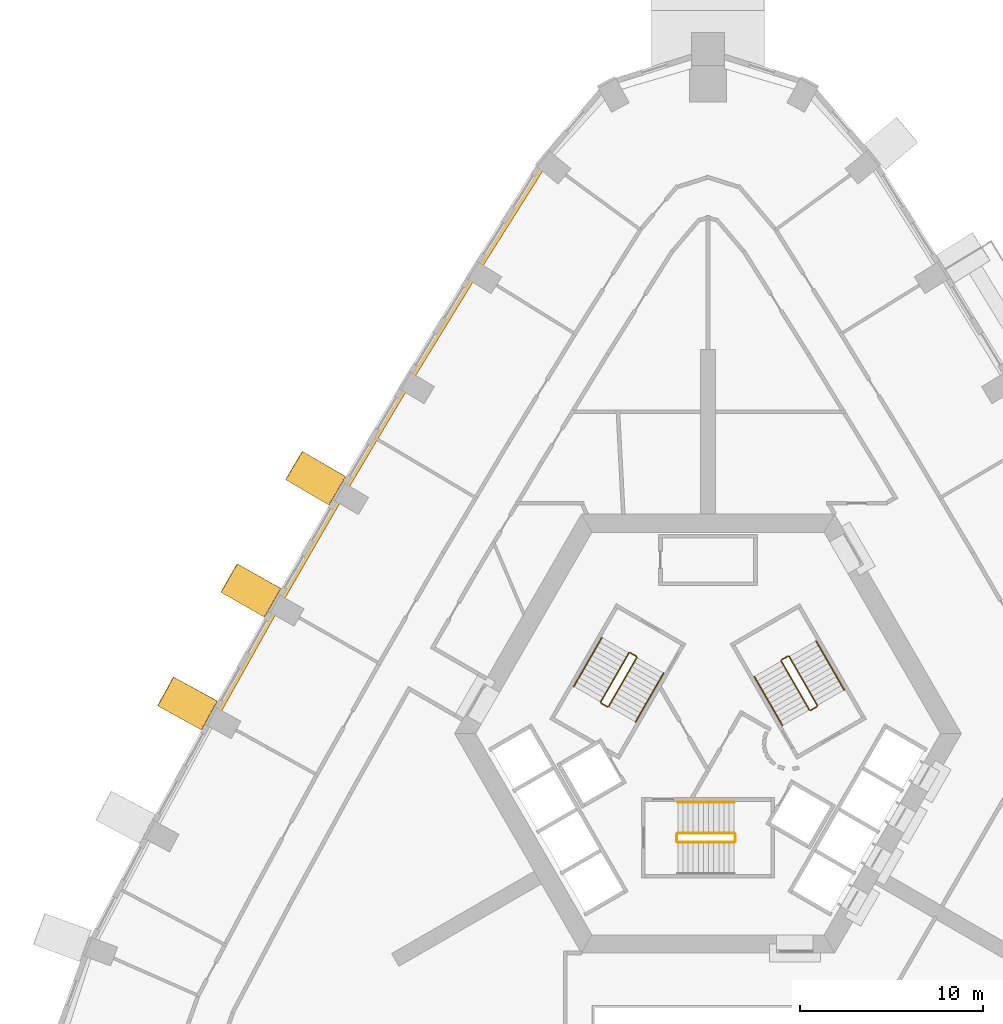
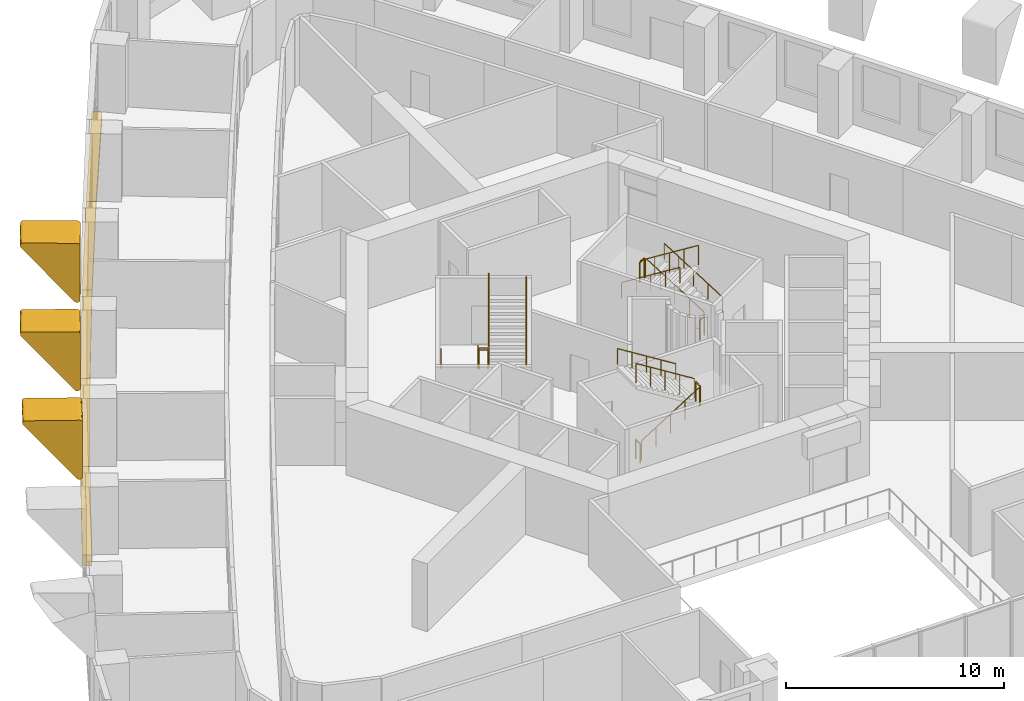
# One storey, part 13 of 14: 17 railings, 8 coverings.
"""IFC4 building model written with IfcOpenShell, lengths in metres."""

from ifc_helpers import new_model, si_unit, direction, frame, origin, origin_2d, place, context, subcontext, project, spatial, polyline, circle, outline, extrude, material, type_object, element, save


model = new_model("IFC4")

# Units and contexts
model_context = context("Model", 3, precision=1e-05, world=origin(), true_north=direction((0.0, 1.0)))
body_context = subcontext(model_context, "Body", "Model", "MODEL_VIEW")
ifc_project = project(units=[si_unit("LENGTHUNIT", "METRE"), si_unit("AREAUNIT", "SQUARE_METRE"), si_unit("VOLUMEUNIT", "CUBIC_METRE"), si_unit("PLANEANGLEUNIT", "RADIAN"), si_unit("MASSUNIT", "GRAM", prefix="KILO")], contexts=[model_context])

# Site, building, storey
site_placement = place(None, origin())
site = spatial("IfcSite", under=ifc_project, at=site_placement, CompositionType="ELEMENT")
building_placement = place(site_placement, origin())
building = spatial("IfcBuilding", under=site, at=building_placement, Name="Entoto Arch Interchange Tower", CompositionType="ELEMENT")
storey_placement = place(building_placement, frame((0.0, 0.0, 176.0)))
storey = spatial("IfcBuildingStorey", under=building, at=storey_placement, Name="L39", CompositionType="ELEMENT", Elevation=176.0)

# Coverings
ifc_material_1 = material(Name="Board-marked precast concrete C50/60", Category="concrete")
covering_type_1 = type_object("IfcCoveringType", Name="PRECAST FRAME COURSE", PredefinedType="CLADDING", material=ifc_material_1)
covering_1_placement = place(storey_placement, frame((-20.0390625, 16.69189453125, 4.528076171875), z_axis=(0.505888916529, 0.862593607362, 0.002944939878), x_axis=(0.639738868671, -0.372895862191, -0.672073549452)))
element("IfcCovering", 1, at=covering_1_placement, inside=storey, type_object=covering_type_1, Name="Fold rib NW04 L39-L40", PredefinedType="CLADDING", context=body_context, shape_type="SweptSolid", body=[
    extrude(outline(polyline([(0.0, 0.0), (0.04468559643476672, 0.0), (0.08702311688176662, -0.012713268512525654), (0.12434001728312408, -0.03702019963075637), (0.1515155062238189, -0.07124735601299292), (0.1685170643445208, -0.11239364482339322), (0.17332564048363217, -0.15599488681735288), (0.16401626707573988, -0.19864944727664952), (0.14381771860572398, -0.23834547830368197), (-1.9002104992836286, -2.4912860784999293), (-1.9219744646785384, -2.510769939343218), (-1.9471938989124746, -2.5257936804938286), (-1.9896944786839732, -2.5386556448553583), (-2.019459936528963, -2.5399930798170836), (-2.0481091349004488, -2.535421584005867), (-2.0890708580227777, -2.5186856880012773), (-2.1126803877249705, -2.5012131409040204), (-3.933938914454156, -0.8482031710648279), (-3.953701552231386, -0.8263084160659506), (-3.969407119032516, -0.8011758611565987), (-3.9815449987684417, -0.7591661435943318), (-3.983088618111073, -0.7294092647723227), (-3.9787515569711434, -0.7007053646697399), (-3.9692912795952706, -0.6730243390961699), (-3.9542291238496263, -0.6474597493199428), (-3.9347035495369473, -0.6259468229230565), (-3.911169751801509, -0.6080682276883898), (-3.8844412897385325, -0.596060923005258), (-3.8556340986838307, -0.5882470825013606), (0.0, 0.0)])), origin(), (0.0, 0.0, -1.0), 1.800048828125),
])
covering_2_placement = place(storey_placement, frame((-23.5849609375, 10.572998046875, 4.528076171875), z_axis=(0.493998773272, 0.86945673877, 0.003192399435), x_axis=(0.638504492493, -0.360281695828, -0.680080225207)))
element("IfcCovering", 2, at=covering_2_placement, inside=storey, type_object=covering_type_1, Name="Fold rib NW05 L39-L40", PredefinedType="CLADDING", context=body_context, shape_type="SweptSolid", body=[
    extrude(outline(polyline([(0.0, 0.0), (0.044154413149853494, 3.469446951953614e-18), (0.08652140957434047, -0.013326427223792896), (0.1232189811566394, -0.03770884681786216), (0.15057042259358533, -0.0727410269322915), (0.16641238652239793, -0.11341310753403566), (0.17100981809750715, -0.15730427991353843), (0.16201509392503843, -0.20057514230923865), (0.14040778489138833, -0.2391406961638459), (-1.9277185668934813, -2.469984112612299), (-1.9502069357334906, -2.488750379627171), (-1.9750731122036729, -2.503979353468382), (-2.0177153387244204, -2.5163734478831548), (-2.047136183778432, -2.517721164744508), (-2.075644583214081, -2.512921048337796), (-2.116066515200698, -2.496071991759283), (-2.1401921032232942, -2.4776871472308497), (-3.943585554680774, -0.804791758160593), (-3.971669062450116, -0.7704139652494715), (-3.982936323884171, -0.74364409967082), (-3.990483685403083, -0.7149993548163511), (-3.9916983117187366, -0.6852312324325625), (-3.9870489244479628, -0.6565758588462454), (-3.9772873570942746, -0.6289995719119659), (-3.9619462217398964, -0.6036017018304658), (-3.942188031603264, -0.5823022489029859), (-3.9180127866843764, -0.5651012131295261), (-3.891598445160561, -0.5529702848479154), (-3.862708719762429, -0.5454702845573336), (0.0, 0.0)])), origin(), (0.0, 0.0, -1.0), 1.800048828125),
])
covering_3_placement = place(storey_placement, frame((-27.056884765625, 4.409912109375, 4.528076171875), z_axis=(0.482028973215, 0.876149787755, 0.003101354425), x_axis=(0.657648181823, -0.359473124446, -0.662025635264)))
element("IfcCovering", 3, at=covering_3_placement, inside=storey, type_object=covering_type_1, Name="Fold rib NW06 L39-L40", PredefinedType="CLADDING", context=body_context, shape_type="SweptSolid", body=[
    extrude(outline(polyline([(0.0, 0.0), (0.0438841037940554, 0.0), (0.08645691664557484, -0.012196135381730172), (0.12357823019721464, -0.03554012514605625), (0.15213222535959164, -0.06890622347240535), (0.16933061260491739, -0.10950547074112918), (0.17426145576615842, -0.15392730046703385), (0.16697082358468862, -0.1966748617920992), (0.1463080810393718, -0.23575489421649873), (-1.86689047381686, -2.516290965684052), (-1.8882712524370646, -2.5361659628395072), (-1.913488228264516, -2.5513526233339006), (-1.9554661452842645, -2.5650927028242694), (-1.9848456785337387, -2.567155076213649), (-2.013459836987534, -2.5630516203575495), (-2.0550821292795187, -2.5464835203529583), (-2.0784010722146986, -2.5297936132062357), (-3.9200133693477786, -0.9030633847936089), (-3.9484068058720156, -0.8698386240566784), (-3.9610337564257643, -0.8427247460877498), (-3.9686363590728493, -0.8148342490013067), (-3.9700554290783803, -0.7855658746599585), (-3.9662628679849528, -0.7566661161644093), (-3.957260813221004, -0.7287836031739638), (-3.941940426999235, -0.7035553036702602), (-3.9230578200415676, -0.681467384018708), (-3.8995598484287273, -0.6634607284106353), (-3.87399716819928, -0.6502092701282791), (-3.844498769563564, -0.6427129764543538), (0.0, 0.0)])), origin(), (0.0, 0.0, -1.0), 1.800048828125),
])
covering_type_2 = type_object("IfcCoveringType", Name="PRECAST LEDGE COURSE", PredefinedType="CLADDING", material=ifc_material_1)
covering_4_placement = place(storey_placement, frame((0.0, 0.0, -1.0)))
element("IfcCovering", 4, at=covering_4_placement, inside=storey, type_object=covering_type_2, Name="Precast course NW-01 L39", PredefinedType="CLADDING", context=body_context, shape_type="SweptSolid", body=[
    extrude(outline(polyline([(-12.577880859375, 27.64892578125), (-12.968994140625, 27.89306640625), (-9.117919921875, 34.027099609375), (-8.7529296875, 33.72412109375), (-12.577880859375, 27.64892578125)])), origin(), (0.0, 0.0, 1.0), 0.60009765625),
])
covering_5_placement = place(storey_placement, frame((0.0, 0.0, -1.0)))
element("IfcCovering", 5, at=covering_5_placement, inside=storey, type_object=covering_type_2, Name="Precast course NW-02 L39", PredefinedType="CLADDING", context=body_context, shape_type="SweptSolid", body=[
    extrude(outline(polyline([(-16.26611328125, 21.6240234375), (-16.654052734375, 21.85888671875), (-12.968994140625, 27.89306640625), (-12.577880859375, 27.64892578125), (-16.26611328125, 21.6240234375)])), origin(), (0.0, 0.0, 1.0), 0.60009765625),
])
covering_6_placement = place(storey_placement, frame((0.0, 0.0, -1.0)))
element("IfcCovering", 6, at=covering_6_placement, inside=storey, type_object=covering_type_2, Name="Precast course NW-03 L39", PredefinedType="CLADDING", context=body_context, shape_type="SweptSolid", body=[
    extrude(outline(polyline([(-19.875, 15.552978515625), (-20.263916015625, 15.781005859375), (-16.654052734375, 21.85888671875), (-16.26611328125, 21.6240234375), (-19.875, 15.552978515625)])), origin(), (0.0, 0.0, 1.0), 0.60009765625),
])
covering_7_placement = place(storey_placement, frame((0.0, 0.0, -1.0)))
element("IfcCovering", 7, at=covering_7_placement, inside=storey, type_object=covering_type_2, Name="Precast course NW-04 L39", PredefinedType="CLADDING", context=body_context, shape_type="SweptSolid", body=[
    extrude(outline(polyline([(-23.406005859375, 9.43603515625), (-23.798095703125, 9.658935546875), (-20.263916015625, 15.781005859375), (-19.875, 15.552978515625), (-23.406005859375, 9.43603515625)])), origin(), (0.0, 0.0, 1.0), 0.60009765625),
])
covering_8_placement = place(storey_placement, frame((0.0, 0.0, -1.0)))
element("IfcCovering", 8, at=covering_8_placement, inside=storey, type_object=covering_type_2, Name="Precast course NW-05 L39", PredefinedType="CLADDING", context=body_context, shape_type="SweptSolid", body=[
    extrude(outline(polyline([(-26.860107421875, 3.27490234375), (-27.257080078125, 3.492919921875), (-23.798095703125, 9.658935546875), (-23.406005859375, 9.43603515625), (-26.860107421875, 3.27490234375)])), origin(), (0.0, 0.0, 1.0), 0.60009765625),
])

# Railings
ifc_material_2 = material(Name="Stainless steel 1.4301", Category="steel")
railing_type_1 = type_object("IfcRailingType", Name="STAIR GUARD 1100 STEEL", PredefinedType="GUARDRAIL", material=ifc_material_2)
railing_1_placement = place(storey_placement, frame((-1.64990234375, -3.449951171875, 0.175048828125)))
element("IfcRailing", 9, at=railing_1_placement, inside=storey, type_object=railing_type_1, Name="L39 ST-S stair guard 1", PredefinedType="GUARDRAIL", context=body_context, shape_type="SweptSolid", body=[
    extrude(circle(Radius=0.02392578125, at=origin_2d()), frame((0.0, 0.0, 1.076171875), z_axis=(0.847979421464, 0.0, 0.530029150871), x_axis=(0.0, 1.0, 0.0)), (0.0, 0.0, 1.0), 3.632080078125),
    extrude(circle(Radius=0.02099609375, at=origin_2d()), origin(), (0.0, 0.0, 1.0), 1.052001953125),
    extrude(circle(Radius=0.02099609375, at=origin_2d()), frame((0.77001953125, 0.0, 0.481201171875)), (0.0, 0.0, 1.0), 1.052001953125),
    extrude(circle(Radius=0.02099609375, at=origin_2d()), frame((1.5400390625, 0.0, 0.96240234375)), (0.0, 0.0, 1.0), 1.052001953125),
    extrude(circle(Radius=0.02099609375, at=origin_2d()), frame((2.309814453125, 0.0, 1.44384765625)), (0.0, 0.0, 1.0), 1.052001953125),
    extrude(circle(Radius=0.02099609375, at=origin_2d()), frame((3.079833984375, 0.0, 1.925048828125)), (0.0, 0.0, 1.0), 1.052001953125),
])
railing_2_placement = place(storey_placement, frame((1.47998046875, -3.39990234375, 2.10009765625)))
element("IfcRailing", 10, at=railing_2_placement, inside=storey, type_object=railing_type_1, Name="L39 ST-S stair guard 2", PredefinedType="GUARDRAIL", context=body_context, shape_type="SweptSolid", body=[
    extrude(circle(Radius=0.02392578125, at=origin_2d()), frame((0.0, 0.0, 1.076171875), z_axis=(0.0, 1.0, 0.0), x_axis=(-1.0, 0.0, 0.0)), (0.0, 0.0, 1.0), 0.39990234375),
    extrude(circle(Radius=0.02099609375, at=origin_2d()), origin(), (0.0, 0.0, 1.0), 1.052001953125),
    extrude(circle(Radius=0.02099609375, at=origin_2d()), frame((0.0, 0.39990234375, 0.0)), (0.0, 0.0, 1.0), 1.052001953125),
])
railing_3_placement = place(storey_placement, frame((1.429931640625, -2.949951171875, 2.27490234375)))
element("IfcRailing", 11, at=railing_3_placement, inside=storey, type_object=railing_type_1, Name="L39 ST-S stair guard 3", PredefinedType="GUARDRAIL", context=body_context, shape_type="SweptSolid", body=[
    extrude(circle(Radius=0.02392578125, at=origin_2d()), frame((0.0, 0.0, 1.076171875), z_axis=(-0.847979421464, 0.0, 0.530029150871), x_axis=(0.0, -1.0, 0.0)), (0.0, 0.0, 1.0), 3.632080078125),
    extrude(circle(Radius=0.02099609375, at=origin_2d()), origin(), (0.0, 0.0, 1.0), 1.052001953125),
    extrude(circle(Radius=0.02099609375, at=origin_2d()), frame((-0.77001953125, 0.0, 0.481201171875)), (0.0, 0.0, 1.0), 1.052001953125),
    extrude(circle(Radius=0.02099609375, at=origin_2d()), frame((-1.5400390625, 0.0, 0.96240234375)), (0.0, 0.0, 1.0), 1.052001953125),
    extrude(circle(Radius=0.02099609375, at=origin_2d()), frame((-2.309814453125, 0.0, 1.44384765625)), (0.0, 0.0, 1.0), 1.052001953125),
    extrude(circle(Radius=0.02099609375, at=origin_2d()), frame((-3.079833984375, 0.0, 1.925048828125)), (0.0, 0.0, 1.0), 1.052001953125),
])
railing_4_placement = place(storey_placement, frame((-1.699951171875, -3.39990234375, 0.0)))
element("IfcRailing", 12, at=railing_4_placement, inside=storey, type_object=railing_type_1, Name="L39 ST-S stair guard 4", PredefinedType="GUARDRAIL", context=body_context, shape_type="SweptSolid", body=[
    extrude(circle(Radius=0.02392578125, at=origin_2d()), frame((0.0, 0.0, 1.076171875), z_axis=(0.0, 1.0, 0.0), x_axis=(-1.0, 0.0, 0.0)), (0.0, 0.0, 1.0), 0.39990234375),
    extrude(circle(Radius=0.02099609375, at=origin_2d()), origin(), (0.0, 0.0, 1.0), 1.052001953125),
    extrude(circle(Radius=0.02099609375, at=origin_2d()), frame((0.0, 0.39990234375, 0.0)), (0.0, 0.0, 1.0), 1.052001953125),
])
railing_5_placement = place(storey_placement, frame((5.977783203125, 4.046142578125, 0.175048828125)))
element("IfcRailing", 13, at=railing_5_placement, inside=storey, type_object=railing_type_1, Name="L39 ST-NE stair guard 1", PredefinedType="GUARDRAIL", context=body_context, shape_type="SweptSolid", body=[
    extrude(circle(Radius=0.02392578125, at=origin_2d()), frame((0.0, 0.0, 1.076171875), z_axis=(-0.424015404183, 0.734364028329, 0.530019255228), x_axis=(-0.866010015463, -0.500026652407, 0.0)), (0.0, 0.0, 1.0), 3.632080078125),
    extrude(circle(Radius=0.02099609375, at=origin_2d()), origin(), (0.0, 0.0, 1.0), 1.052001953125),
    extrude(circle(Radius=0.02099609375, at=origin_2d()), frame((-0.385009765625, 0.666748046875, 0.481201171875)), (0.0, 0.0, 1.0), 1.052001953125),
    extrude(circle(Radius=0.02099609375, at=origin_2d()), frame((-0.77001953125, 1.33349609375, 0.96240234375)), (0.0, 0.0, 1.0), 1.052001953125),
    extrude(circle(Radius=0.02099609375, at=origin_2d()), frame((-1.155029296875, 2.00048828125, 1.44384765625)), (0.0, 0.0, 1.0), 1.052001953125),
    extrude(circle(Radius=0.02099609375, at=origin_2d()), frame((-1.5400390625, 2.667236328125, 1.925048828125)), (0.0, 0.0, 1.0), 1.052001953125),
])
railing_6_placement = place(storey_placement, frame((4.36962890625, 6.731689453125, 2.10009765625)))
element("IfcRailing", 14, at=railing_6_placement, inside=storey, type_object=railing_type_1, Name="L39 ST-NE stair guard 2", PredefinedType="GUARDRAIL", context=body_context, shape_type="SweptSolid", body=[
    extrude(circle(Radius=0.02392578125, at=origin_2d()), frame((0.0, 0.0, 1.076171875), z_axis=(-0.866094119867, -0.499880961361, 0.0), x_axis=(0.499880961361, -0.866094119867, 0.0)), (0.0, 0.0, 1.0), 0.39990234375),
    extrude(circle(Radius=0.02099609375, at=origin_2d()), origin(), (0.0, 0.0, 1.0), 1.052001953125),
    extrude(circle(Radius=0.02099609375, at=origin_2d()), frame((-0.346435546875, -0.199951171875, 0.0)), (0.0, 0.0, 1.0), 1.052001953125),
])
railing_7_placement = place(storey_placement, frame((4.0048828125, 6.46337890625, 2.27490234375)))
element("IfcRailing", 15, at=railing_7_placement, inside=storey, type_object=railing_type_1, Name="L39 ST-NE stair guard 3", PredefinedType="GUARDRAIL", context=body_context, shape_type="SweptSolid", body=[
    extrude(circle(Radius=0.02392578125, at=origin_2d()), frame((0.0, 0.0, 1.076171875), z_axis=(0.424015404183, -0.734364028329, 0.530019255228), x_axis=(0.866010015463, 0.500026652407, 0.0)), (0.0, 0.0, 1.0), 3.632080078125),
    extrude(circle(Radius=0.02099609375, at=origin_2d()), origin(), (0.0, 0.0, 1.0), 1.052001953125),
    extrude(circle(Radius=0.02099609375, at=origin_2d()), frame((0.385009765625, -0.666748046875, 0.481201171875)), (0.0, 0.0, 1.0), 1.052001953125),
    extrude(circle(Radius=0.02099609375, at=origin_2d()), frame((0.77001953125, -1.33349609375, 0.96240234375)), (0.0, 0.0, 1.0), 1.052001953125),
    extrude(circle(Radius=0.02099609375, at=origin_2d()), frame((1.155029296875, -2.00048828125, 1.44384765625)), (0.0, 0.0, 1.0), 1.052001953125),
    extrude(circle(Radius=0.02099609375, at=origin_2d()), frame((1.5400390625, -2.667236328125, 1.925048828125)), (0.0, 0.0, 1.0), 1.052001953125),
])
railing_8_placement = place(storey_placement, frame((5.95947265625, 3.977783203125, 0.0)))
element("IfcRailing", 16, at=railing_8_placement, inside=storey, type_object=railing_type_1, Name="L39 ST-NE stair guard 4", PredefinedType="GUARDRAIL", context=body_context, shape_type="SweptSolid", body=[
    extrude(circle(Radius=0.02392578125, at=origin_2d()), frame((0.0, 0.0, 1.076171875), z_axis=(-0.866094119867, -0.499880961361, 0.0), x_axis=(0.499880961361, -0.866094119867, 0.0)), (0.0, 0.0, 1.0), 0.39990234375),
    extrude(circle(Radius=0.02099609375, at=origin_2d()), origin(), (0.0, 0.0, 1.0), 1.052001953125),
    extrude(circle(Radius=0.02099609375, at=origin_2d()), frame((-0.346435546875, -0.199951171875, 0.0)), (0.0, 0.0, 1.0), 1.052001953125),
])
railing_9_placement = place(storey_placement, frame((-4.327880859375, 6.904052734375, 0.175048828125)))
element("IfcRailing", 17, at=railing_9_placement, inside=storey, type_object=railing_type_1, Name="L39 ST-NW stair guard 1", PredefinedType="GUARDRAIL", context=body_context, shape_type="SweptSolid", body=[
    extrude(circle(Radius=0.02392578125, at=origin_2d()), frame((0.0, 0.0, 1.076171875), z_axis=(-0.423994474112, -0.734394994316, 0.52999309264), x_axis=(0.866029832698, -0.499992328818, 0.0)), (0.0, 0.0, 1.0), 3.63232421875),
    extrude(circle(Radius=0.02099609375, at=origin_2d()), origin(), (0.0, 0.0, 1.0), 1.052001953125),
    extrude(circle(Radius=0.02099609375, at=origin_2d()), frame((-0.385009765625, -0.6669921875, 0.481201171875)), (0.0, 0.0, 1.0), 1.052001953125),
    extrude(circle(Radius=0.02099609375, at=origin_2d()), frame((-0.77001953125, -1.333740234375, 0.96240234375)), (0.0, 0.0, 1.0), 1.052001953125),
    extrude(circle(Radius=0.02099609375, at=origin_2d()), frame((-1.155029296875, -2.00048828125, 1.44384765625)), (0.0, 0.0, 1.0), 1.052001953125),
    extrude(circle(Radius=0.02099609375, at=origin_2d()), frame((-1.5400390625, -2.66748046875, 1.925048828125)), (0.0, 0.0, 1.0), 1.052001953125),
])
railing_10_placement = place(storey_placement, frame((-5.849609375, 4.168212890625, 2.10009765625)))
element("IfcRailing", 18, at=railing_10_placement, inside=storey, type_object=railing_type_1, Name="L39 ST-NW stair guard 2", PredefinedType="GUARDRAIL", context=body_context, shape_type="SweptSolid", body=[
    extrude(circle(Radius=0.02392578125, at=origin_2d()), frame((0.0, 0.0, 1.076171875), z_axis=(0.866094119867, -0.499880961361, 0.0), x_axis=(0.499880961361, 0.866094119867, 0.0)), (0.0, 0.0, 1.0), 0.39990234375),
    extrude(circle(Radius=0.02099609375, at=origin_2d()), origin(), (0.0, 0.0, 1.0), 1.052001953125),
    extrude(circle(Radius=0.02099609375, at=origin_2d()), frame((0.346435546875, -0.199951171875, 0.0)), (0.0, 0.0, 1.0), 1.052001953125),
])
railing_11_placement = place(storey_placement, frame((-5.434814453125, 3.986572265625, 2.27490234375)))
element("IfcRailing", 19, at=railing_11_placement, inside=storey, type_object=railing_type_1, Name="L39 ST-NW stair guard 3", PredefinedType="GUARDRAIL", context=body_context, shape_type="SweptSolid", body=[
    extrude(circle(Radius=0.02392578125, at=origin_2d()), frame((0.0, 0.0, 1.076171875), z_axis=(0.423994474112, 0.734394994316, 0.52999309264), x_axis=(-0.866029832698, 0.499992328818, 0.0)), (0.0, 0.0, 1.0), 3.63232421875),
    extrude(circle(Radius=0.02099609375, at=origin_2d()), origin(), (0.0, 0.0, 1.0), 1.052001953125),
    extrude(circle(Radius=0.02099609375, at=origin_2d()), frame((0.385009765625, 0.6669921875, 0.481201171875)), (0.0, 0.0, 1.0), 1.052001953125),
    extrude(circle(Radius=0.02099609375, at=origin_2d()), frame((0.77001953125, 1.333740234375, 0.96240234375)), (0.0, 0.0, 1.0), 1.052001953125),
    extrude(circle(Radius=0.02099609375, at=origin_2d()), frame((1.155029296875, 2.00048828125, 1.44384765625)), (0.0, 0.0, 1.0), 1.052001953125),
    extrude(circle(Radius=0.02099609375, at=origin_2d()), frame((1.5400390625, 2.66748046875, 1.925048828125)), (0.0, 0.0, 1.0), 1.052001953125),
])
railing_12_placement = place(storey_placement, frame((-4.259521484375, 6.92236328125, 0.0)))
element("IfcRailing", 20, at=railing_12_placement, inside=storey, type_object=railing_type_1, Name="L39 ST-NW stair guard 4", PredefinedType="GUARDRAIL", context=body_context, shape_type="SweptSolid", body=[
    extrude(circle(Radius=0.02392578125, at=origin_2d()), frame((0.0, 0.0, 1.076171875), z_axis=(0.865829829939, -0.500338590944, 0.0), x_axis=(0.500338590944, 0.865829829939, 0.0)), (0.0, 0.0, 1.0), 0.400146484375),
    extrude(circle(Radius=0.02099609375, at=origin_2d()), origin(), (0.0, 0.0, 1.0), 1.052001953125),
    extrude(circle(Radius=0.02099609375, at=origin_2d()), frame((0.346435546875, -0.2001953125, 0.0)), (0.0, 0.0, 1.0), 1.052001953125),
])
railing_type_2 = type_object("IfcRailingType", Name="STAIR HANDRAIL 900 STEEL", PredefinedType="HANDRAIL", material=ifc_material_2)
railing_13_placement = place(storey_placement, frame((1.429931640625, -1.25, 2.27490234375)))
element("IfcRailing", 21, at=railing_13_placement, inside=storey, type_object=railing_type_2, Name="L39 ST-S stair handrail 2", PredefinedType="HANDRAIL", context=body_context, shape_type="SweptSolid", body=[
    extrude(circle(Radius=0.02392578125, at=origin_2d()), frame((0.0, 0.0, 0.8759765625), z_axis=(-0.847979421464, 0.0, 0.530029150871), x_axis=(0.0, -1.0, 0.0)), (0.0, 0.0, 1.0), 3.632080078125),
    extrude(circle(Radius=0.02099609375, at=origin_2d()), origin(), (0.0, 0.0, 1.0), 0.851806640625),
    extrude(circle(Radius=0.02099609375, at=origin_2d()), frame((-0.77001953125, 0.0, 0.481201171875)), (0.0, 0.0, 1.0), 0.851806640625),
    extrude(circle(Radius=0.02099609375, at=origin_2d()), frame((-1.5400390625, 0.0, 0.96240234375)), (0.0, 0.0, 1.0), 0.851806640625),
    extrude(circle(Radius=0.02099609375, at=origin_2d()), frame((-2.309814453125, 0.0, 1.44384765625)), (0.0, 0.0, 1.0), 0.851806640625),
    extrude(circle(Radius=0.02099609375, at=origin_2d()), frame((-3.079833984375, 0.0, 1.925048828125)), (0.0, 0.0, 1.0), 0.851806640625),
])
railing_14_placement = place(storey_placement, frame((7.4501953125, 4.89599609375, 0.175048828125)))
element("IfcRailing", 22, at=railing_14_placement, inside=storey, type_object=railing_type_2, Name="L39 ST-NE stair handrail 1", PredefinedType="HANDRAIL", context=body_context, shape_type="SweptSolid", body=[
    extrude(circle(Radius=0.02392578125, at=origin_2d()), frame((0.0, 0.0, 0.8759765625), z_axis=(-0.423994474112, 0.734394994316, 0.52999309264), x_axis=(-0.866029832698, -0.499992328818, 0.0)), (0.0, 0.0, 1.0), 3.63232421875),
    extrude(circle(Radius=0.02099609375, at=origin_2d()), origin(), (0.0, 0.0, 1.0), 0.851806640625),
    extrude(circle(Radius=0.02099609375, at=origin_2d()), frame((-0.385009765625, 0.6669921875, 0.481201171875)), (0.0, 0.0, 1.0), 0.851806640625),
    extrude(circle(Radius=0.02099609375, at=origin_2d()), frame((-0.77001953125, 1.333740234375, 0.96240234375)), (0.0, 0.0, 1.0), 0.851806640625),
    extrude(circle(Radius=0.02099609375, at=origin_2d()), frame((-1.155029296875, 2.00048828125, 1.44384765625)), (0.0, 0.0, 1.0), 0.851806640625),
    extrude(circle(Radius=0.02099609375, at=origin_2d()), frame((-1.5400390625, 2.66748046875, 1.925048828125)), (0.0, 0.0, 1.0), 0.851806640625),
])
railing_15_placement = place(storey_placement, frame((2.53271484375, 5.613525390625, 2.27490234375)))
element("IfcRailing", 23, at=railing_15_placement, inside=storey, type_object=railing_type_2, Name="L39 ST-NE stair handrail 2", PredefinedType="HANDRAIL", context=body_context, shape_type="SweptSolid", body=[
    extrude(circle(Radius=0.02392578125, at=origin_2d()), frame((0.0, 0.0, 0.8759765625), z_axis=(0.423939339791, -0.734415923031, 0.53000819633), x_axis=(0.866064153644, 0.499932877268, 0.0)), (0.0, 0.0, 1.0), 3.632080078125),
    extrude(circle(Radius=0.02099609375, at=origin_2d()), origin(), (0.0, 0.0, 1.0), 0.851806640625),
    extrude(circle(Radius=0.02099609375, at=origin_2d()), frame((0.385009765625, -0.6669921875, 0.481201171875)), (0.0, 0.0, 1.0), 0.851806640625),
    extrude(circle(Radius=0.02099609375, at=origin_2d()), frame((0.77001953125, -1.333740234375, 0.96240234375)), (0.0, 0.0, 1.0), 0.851806640625),
    extrude(circle(Radius=0.02099609375, at=origin_2d()), frame((1.15478515625, -2.00048828125, 1.44384765625)), (0.0, 0.0, 1.0), 0.851806640625),
    extrude(circle(Radius=0.02099609375, at=origin_2d()), frame((1.539794921875, -2.66748046875, 1.925048828125)), (0.0, 0.0, 1.0), 0.851806640625),
])
railing_16_placement = place(storey_placement, frame((-5.800048828125, 7.75390625, 0.175048828125)))
element("IfcRailing", 24, at=railing_16_placement, inside=storey, type_object=railing_type_2, Name="L39 ST-NW stair handrail 1", PredefinedType="HANDRAIL", context=body_context, shape_type="SweptSolid", body=[
    extrude(circle(Radius=0.02392578125, at=origin_2d()), frame((0.0, 0.0, 0.8759765625), z_axis=(-0.424015404183, -0.734364028329, 0.530019255228), x_axis=(0.866010015463, -0.500026652407, 0.0)), (0.0, 0.0, 1.0), 3.632080078125),
    extrude(circle(Radius=0.02099609375, at=origin_2d()), origin(), (0.0, 0.0, 1.0), 0.851806640625),
    extrude(circle(Radius=0.02099609375, at=origin_2d()), frame((-0.385009765625, -0.666748046875, 0.481201171875)), (0.0, 0.0, 1.0), 0.851806640625),
    extrude(circle(Radius=0.02099609375, at=origin_2d()), frame((-0.77001953125, -1.33349609375, 0.96240234375)), (0.0, 0.0, 1.0), 0.851806640625),
    extrude(circle(Radius=0.02099609375, at=origin_2d()), frame((-1.155029296875, -2.00048828125, 1.44384765625)), (0.0, 0.0, 1.0), 0.851806640625),
    extrude(circle(Radius=0.02099609375, at=origin_2d()), frame((-1.5400390625, -2.667236328125, 1.925048828125)), (0.0, 0.0, 1.0), 0.851806640625),
])
railing_17_placement = place(storey_placement, frame((-3.962646484375, 3.136474609375, 2.27490234375)))
element("IfcRailing", 25, at=railing_17_placement, inside=storey, type_object=railing_type_2, Name="L39 ST-NW stair handrail 2", PredefinedType="HANDRAIL", context=body_context, shape_type="SweptSolid", body=[
    extrude(circle(Radius=0.02392578125, at=origin_2d()), frame((0.0, 0.0, 0.8759765625), z_axis=(0.423994474112, 0.734394994316, 0.52999309264), x_axis=(-0.866029832698, 0.499992328818, 0.0)), (0.0, 0.0, 1.0), 3.63232421875),
    extrude(circle(Radius=0.02099609375, at=origin_2d()), origin(), (0.0, 0.0, 1.0), 0.851806640625),
    extrude(circle(Radius=0.02099609375, at=origin_2d()), frame((0.385009765625, 0.6669921875, 0.481201171875)), (0.0, 0.0, 1.0), 0.851806640625),
    extrude(circle(Radius=0.02099609375, at=origin_2d()), frame((0.77001953125, 1.333740234375, 0.96240234375)), (0.0, 0.0, 1.0), 0.851806640625),
    extrude(circle(Radius=0.02099609375, at=origin_2d()), frame((1.155029296875, 2.00048828125, 1.44384765625)), (0.0, 0.0, 1.0), 0.851806640625),
    extrude(circle(Radius=0.02099609375, at=origin_2d()), frame((1.5400390625, 2.66748046875, 1.925048828125)), (0.0, 0.0, 1.0), 0.851806640625),
])

save(model, "model.ifc")
